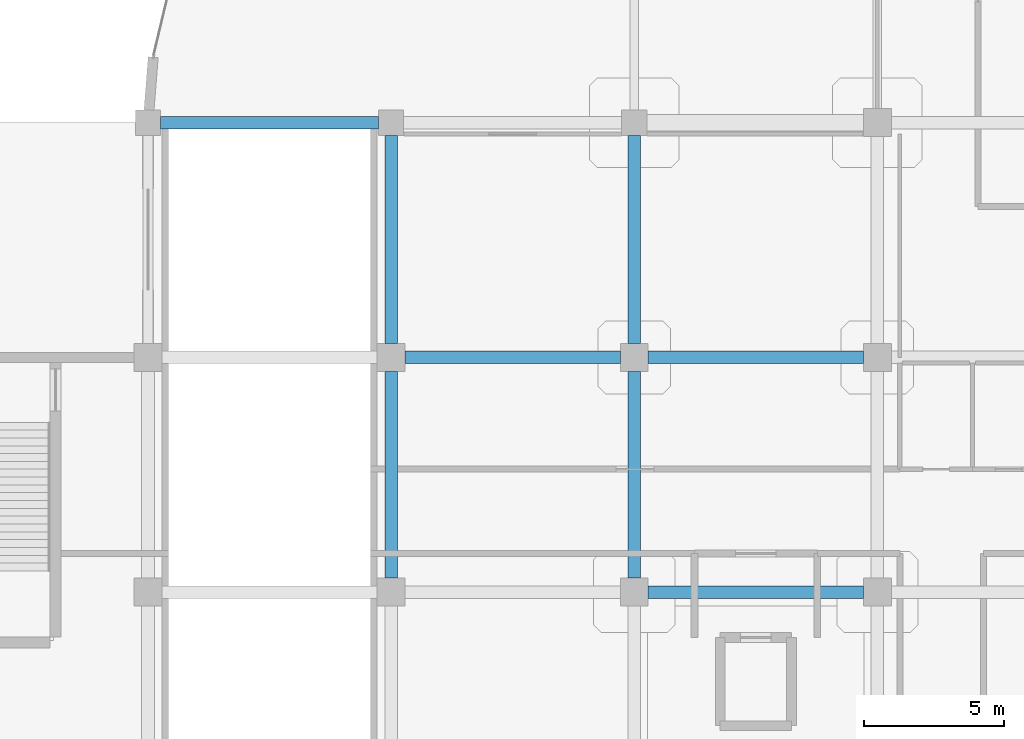
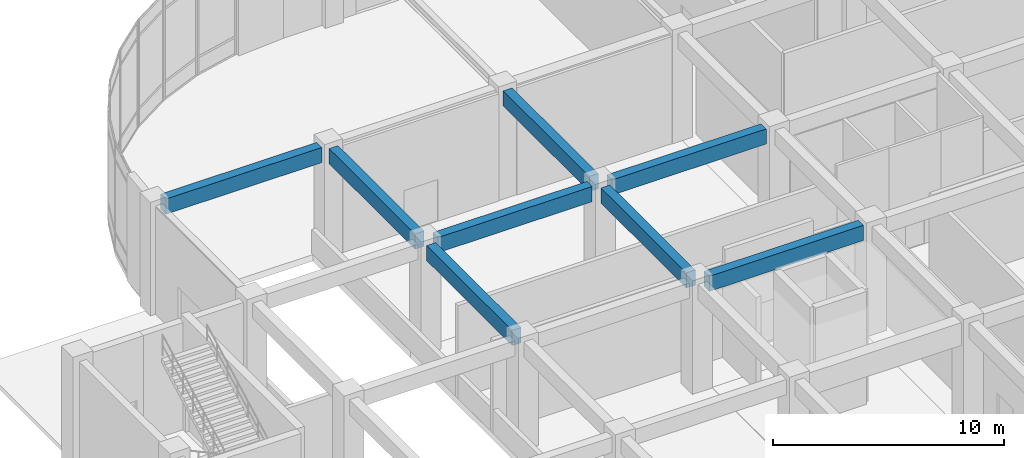
# One storey, part 9 of 82: 8 beams.
"""IFC4 building model written with IfcOpenShell, lengths in metres."""

from ifc_helpers import new_model, si_unit, derived_unit, direction, frame, origin, origin_2d, place, context, subcontext, project, spatial, rectangle, extrude, material, material_profile, profile_set, type_object, element, save


model = new_model("IFC4")

# Units and contexts
model_context = context("Model", 3, precision=1e-05, world=origin(), true_north=direction((0.0, 1.0)))
body_context = subcontext(model_context, "Body", "Model", "MODEL_VIEW")
ifc_project = project(units=[si_unit("LENGTHUNIT", "METRE"), si_unit("AREAUNIT", "SQUARE_METRE"), si_unit("VOLUMEUNIT", "CUBIC_METRE"), si_unit("PLANEANGLEUNIT", "RADIAN"), si_unit("MASSUNIT", "GRAM", prefix="KILO"), derived_unit("THERMALTRANSMITTANCEUNIT", [(si_unit("MASSUNIT", "GRAM", prefix="KILO"), 1), (si_unit("TIMEUNIT", "SECOND"), -3), (si_unit("THERMODYNAMICTEMPERATUREUNIT", "KELVIN"), -1)])], contexts=[model_context])

# Site, building, storey
site_placement = place(None, origin())
site = spatial("IfcSite", under=ifc_project, at=site_placement, CompositionType="ELEMENT")
building_placement = place(site_placement, origin())
building = spatial("IfcBuilding", under=site, at=building_placement, Name="Qinzheling Arcade Emporium", CompositionType="ELEMENT")
storey_placement = place(building_placement, origin())
storey = spatial("IfcBuildingStorey", under=building, at=storey_placement, Name="L01", CompositionType="ELEMENT", Elevation=0.0)

# Beams
ifc_material = material(Name="Concrete C40", Category="concrete")
ifc_material_profile = material_profile(ifc_material, rectangle(XDim=0.449951171875, YDim=0.800048828125, at=origin_2d()), Name="RC 450x800", Category="concrete")
ifc_profile_set = profile_set([ifc_material_profile], Name="Concrete C40")
beam_type = type_object("IfcBeamType", Name="RC Primary Frame Beam 450x800 C40", PredefinedType="BEAM", material=ifc_profile_set)
beam_1_placement = place(storey_placement, frame((26.60009765625, 33.60009765625, 5.320068359375), z_axis=(1.0, 0.0, 0.0), x_axis=(0.0, 1.0, 0.0)))
element("IfcBeam", 1, at=beam_1_placement, inside=storey, type_object=beam_type, Name="Beam BM-L01-X-E-4", PredefinedType="BEAM", context=body_context, shape_type="SweptSolid", body=[
    extrude(rectangle(XDim=0.449951171875, YDim=0.800048828125, at=origin_2d()), origin(), (0.0, 0.0, 1.0), 7.699951171875),
])
beam_2_placement = place(storey_placement, frame((17.89990234375, 42.0, 5.320068359375), z_axis=(1.0, 0.0, 0.0), x_axis=(0.0, 1.0, 0.0)))
element("IfcBeam", 2, at=beam_2_placement, inside=storey, type_object=beam_type, Name="Beam BM-L01-X-F-3", PredefinedType="BEAM", context=body_context, shape_type="SweptSolid", body=[
    extrude(rectangle(XDim=0.449951171875, YDim=0.800048828125, at=origin_2d()), origin(), (0.0, 0.0, 1.0), 7.7001953125),
])
beam_3_placement = place(storey_placement, frame((26.60009765625, 42.0, 5.320068359375), z_axis=(1.0, 0.0, 0.0), x_axis=(0.0, 1.0, 0.0)))
element("IfcBeam", 3, at=beam_3_placement, inside=storey, type_object=beam_type, Name="Beam BM-L01-X-F-4", PredefinedType="BEAM", context=body_context, shape_type="SweptSolid", body=[
    extrude(rectangle(XDim=0.449951171875, YDim=0.800048828125, at=origin_2d()), origin(), (0.0, 0.0, 1.0), 7.699951171875),
])
beam_4_placement = place(storey_placement, frame((9.14990234375, 50.39990234375, 5.320068359375), z_axis=(1.0, 0.0, 0.0), x_axis=(0.0, 1.0, 0.0)))
element("IfcBeam", 4, at=beam_4_placement, inside=storey, type_object=beam_type, Name="Beam BM-L01-X-G-2", PredefinedType="BEAM", context=body_context, shape_type="SweptSolid", body=[
    extrude(rectangle(XDim=0.449951171875, YDim=0.800048828125, at=origin_2d()), origin(), (0.0, 0.0, 1.0), 7.800048828125),
])
beam_5_placement = place(storey_placement, frame((17.39990234375, 34.10009765625, 5.320068359375), z_axis=(0.0, 1.0, 0.0), x_axis=(-1.0, 0.0, 0.0)))
element("IfcBeam", 5, at=beam_5_placement, inside=storey, type_object=beam_type, Name="Beam BM-L01-Y-3-E", PredefinedType="BEAM", context=body_context, shape_type="SweptSolid", body=[
    extrude(rectangle(XDim=0.449951171875, YDim=0.800048828125, at=origin_2d()), origin(), (0.0, 0.0, 1.0), 7.39990234375),
])
beam_6_placement = place(storey_placement, frame((17.39990234375, 42.5, 5.320068359375), z_axis=(0.0, 1.0, 0.0), x_axis=(-1.0, 0.0, 0.0)))
element("IfcBeam", 6, at=beam_6_placement, inside=storey, type_object=beam_type, Name="Beam BM-L01-Y-3-F", PredefinedType="BEAM", context=body_context, shape_type="SweptSolid", body=[
    extrude(rectangle(XDim=0.449951171875, YDim=0.800048828125, at=origin_2d()), origin(), (0.0, 0.0, 1.0), 7.449951171875),
])
beam_7_placement = place(storey_placement, frame((26.10009765625, 34.10009765625, 5.320068359375), z_axis=(0.0, 1.0, 0.0), x_axis=(-1.0, 0.0, 0.0)))
element("IfcBeam", 7, at=beam_7_placement, inside=storey, type_object=beam_type, Name="Beam BM-L01-Y-4-E", PredefinedType="BEAM", context=body_context, shape_type="SweptSolid", body=[
    extrude(rectangle(XDim=0.449951171875, YDim=0.800048828125, at=origin_2d()), origin(), (0.0, 0.0, 1.0), 7.39990234375),
])
beam_8_placement = place(storey_placement, frame((26.10009765625, 42.5, 5.320068359375), z_axis=(0.0, 1.0, 0.0), x_axis=(-1.0, 0.0, 0.0)))
element("IfcBeam", 8, at=beam_8_placement, inside=storey, type_object=beam_type, Name="Beam BM-L01-Y-4-F", PredefinedType="BEAM", context=body_context, shape_type="SweptSolid", body=[
    extrude(rectangle(XDim=0.449951171875, YDim=0.800048828125, at=origin_2d()), origin(), (0.0, 0.0, 1.0), 7.449951171875),
])

save(model, "model.ifc")
